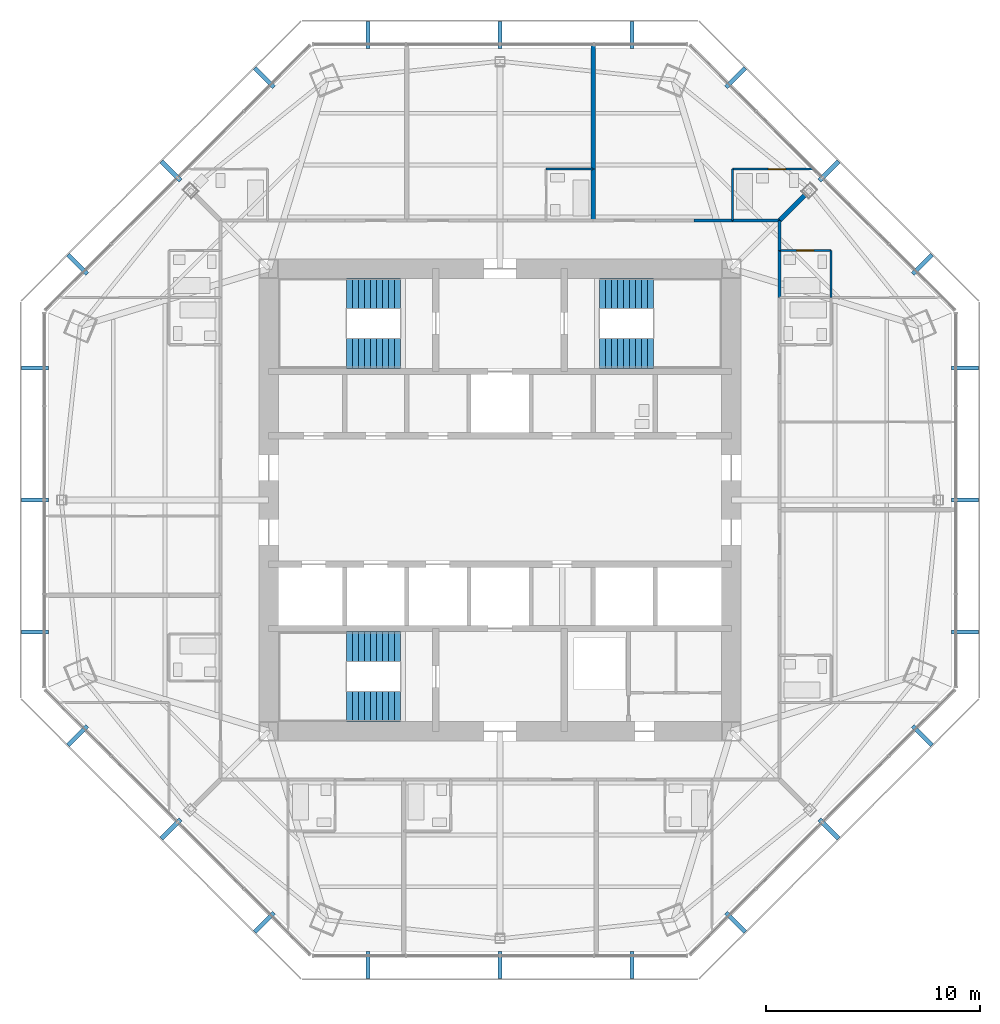
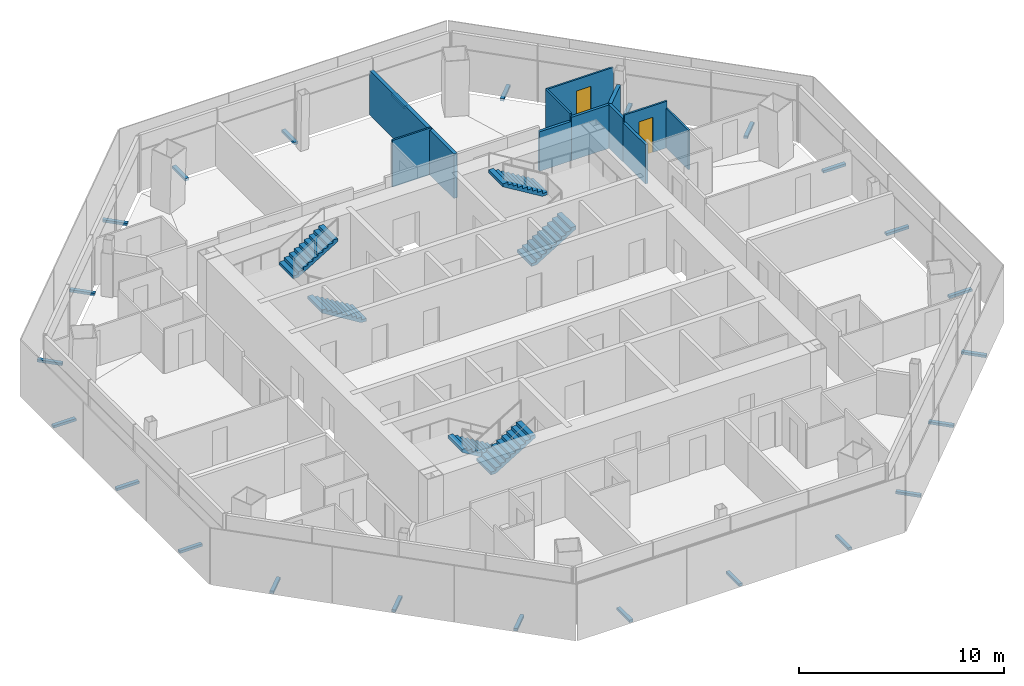
# One storey, part 12 of 14: 24 discrete accessories, 12 walls, 6 stair flights, 2 doors, 2 openings, 3 elements without a shape of their own.
"""IFC4 building model written with IfcOpenShell, lengths in metres."""

import ifcopenshell
import ifcopenshell.guid

model = None  # the IFC model being written
_history = None  # IfcOwnerHistory: only IFC2X3 demands one
_inside = {}  # id of a spatial element -> (the spatial element, [elements in it])
_under = {}  # id of a project, library or spatial element -> (it, [spatial elements below it])
_declared = {}  # id of a project -> (the project, [libraries it declares])
_typed = {}  # id of a type object -> (the type object, [elements of that type])
_made_of = {}  # id of a material, layer set ... -> (it, [elements and type objects made of it])


def new_model(schema):
    """Start an empty IFC model of exactly this schema.

    Asked for "IFC4X3", IfcOpenShell would pick the latest addendum, in which some entities
    have other attributes; the version numbers below select the first issue.
    IFC2X3 requires an IfcOwnerHistory on every rooted entity: one is made here for all.
    """
    global model, _history
    if schema == "IFC4X3":
        model = ifcopenshell.file(schema_version=(4, 3, 0, 0))
    else:
        model = ifcopenshell.file(schema=schema)
    _inside.clear()
    _under.clear()
    _declared.clear()
    _typed.clear()
    _made_of.clear()
    _history = None
    if model.schema == "IFC2X3":
        org = make("IfcOrganization", Name="unknown")
        user = make(
            "IfcPersonAndOrganization",
            ThePerson=make("IfcPerson", FamilyName="unknown"),
            TheOrganization=org,
        )
        app = make(
            "IfcApplication",
            ApplicationDeveloper=org,
            Version="unknown",
            ApplicationFullName="unknown",
            ApplicationIdentifier="unknown",
        )
        _history = make(
            "IfcOwnerHistory",
            OwningUser=user,
            OwningApplication=app,
            ChangeAction="ADDED",
            CreationDate=0,
        )
    return model


def make(cls, **values):
    """One entity of the class cls with the attributes given. An attribute that is None is left unset."""
    return model.create_entity(
        cls, **{name: value for name, value in values.items() if value is not None}
    )


def rooted(cls, **values):
    """An entity with a GlobalId (a new one), such as an element, a storey or a relation."""
    return make(cls, GlobalId=ifcopenshell.guid.new(), OwnerHistory=_history, **values)


def si_unit(unit_type, name, prefix=None):
    """IfcSIUnit, for example si_unit("LENGTHUNIT", "METRE", prefix="MILLI")."""
    return make("IfcSIUnit", UnitType=unit_type, Prefix=prefix, Name=name)


def assignment(units):
    """IfcUnitAssignment: the units of a project."""
    return None if units is None else make("IfcUnitAssignment", Units=units)


def point(xyz):
    """IfcCartesianPoint."""
    return None if xyz is None else make("IfcCartesianPoint", Coordinates=xyz)


def direction(xyz):
    """IfcDirection."""
    return None if xyz is None else make("IfcDirection", DirectionRatios=xyz)


def frame(location, z_axis=None, x_axis=None):
    """IfcAxis2Placement3D, a coordinate frame: its origin and axes. An axis left out is left unset."""
    return make(
        "IfcAxis2Placement3D",
        Location=point(location),
        Axis=direction(z_axis),
        RefDirection=direction(x_axis),
    )


def frame_2d(location, x_axis=None):
    """IfcAxis2Placement2D, a coordinate frame in the plane: its origin and x axis."""
    return make(
        "IfcAxis2Placement2D", Location=point(location), RefDirection=direction(x_axis)
    )


def origin():
    """The frame at (0, 0, 0) with its axes left unset."""
    return frame((0.0, 0.0, 0.0))


def origin_2d():
    """The frame at (0, 0) in the plane with its x axis left unset."""
    return frame_2d((0.0, 0.0))


def place(relative_to, where):
    """IfcLocalPlacement: puts the frame where relative to a parent placement (None: the world)."""
    return make(
        "IfcLocalPlacement", PlacementRelTo=relative_to, RelativePlacement=where
    )


def context(
    kind, dimensions, precision=None, world=None, true_north=None, identifier=None
):
    """IfcGeometricRepresentationContext, for example the 3D "Model" context."""
    return make(
        "IfcGeometricRepresentationContext",
        ContextIdentifier=identifier,
        ContextType=kind,
        CoordinateSpaceDimension=dimensions,
        Precision=precision,
        WorldCoordinateSystem=world,
        TrueNorth=true_north,
    )


def subcontext(parent, identifier, kind, view, scale=None):
    """IfcGeometricRepresentationSubContext, for example "Body" below "Model"."""
    return make(
        "IfcGeometricRepresentationSubContext",
        ContextIdentifier=identifier,
        ContextType=kind,
        ParentContext=parent,
        TargetScale=scale,
        TargetView=view,
    )


def project(units=None, contexts=None):
    """IfcProject with its units and contexts."""
    return rooted(
        "IfcProject",
        Name="project",
        RepresentationContexts=contexts,
        UnitsInContext=assignment(units),
    )


def spatial(cls, under=None, at=None, **own):
    """A site, building, storey or space (cls), placed at a placement, below another one or the project."""
    s = rooted(cls, ObjectPlacement=at, **own)
    if under is not None:
        _under.setdefault(under.id(), (under, []))[1].append(s)
    return s


def polyline(points):
    """IfcPolyline through the points."""
    return make("IfcPolyline", Points=[point(p) for p in points])


def profile(cls, at=None, kind="AREA", **sizes):
    """A parametric profile (cls). Its sizes go by their IFC names, for example OverallWidth=200.0."""
    return make(cls, ProfileType=kind, Position=at, **sizes)


def rectangle(**sizes):
    """IfcRectangleProfileDef."""
    return profile("IfcRectangleProfileDef", **sizes)


def outline(outer, holes=None, kind="AREA"):
    """IfcArbitraryClosedProfileDef: a profile drawn as a closed curve; with holes, ...WithVoids."""
    if holes is None:
        return make("IfcArbitraryClosedProfileDef", ProfileType=kind, OuterCurve=outer)
    return make(
        "IfcArbitraryProfileDefWithVoids",
        ProfileType=kind,
        OuterCurve=outer,
        InnerCurves=holes,
    )


def extrude(swept, where, along, depth):
    """IfcExtrudedAreaSolid: the profile swept, set in the frame where, extruded along a direction by depth."""
    return make(
        "IfcExtrudedAreaSolid",
        SweptArea=swept,
        Position=where,
        ExtrudedDirection=direction(along),
        Depth=depth,
    )


def shape(context_of_items, identifier, shape_type, items):
    """IfcShapeRepresentation: the items that make up one representation, for example the "Body"."""
    return make(
        "IfcShapeRepresentation",
        ContextOfItems=context_of_items,
        RepresentationIdentifier=identifier,
        RepresentationType=shape_type,
        Items=items,
    )


def source(mapping_origin, context_of_items, identifier, shape_type, items):
    """IfcRepresentationMap: a shape defined once, which mapped items show again and again."""
    return make(
        "IfcRepresentationMap",
        MappingOrigin=mapping_origin,
        MappedRepresentation=shape(context_of_items, identifier, shape_type, items),
    )


def transform(
    local_origin,
    x_axis=None,
    y_axis=None,
    z_axis=None,
    scale=None,
    scale2=None,
    scale3=None,
    uniform=True,
):
    """IfcCartesianTransformationOperator3D, or its non-uniform kind. x_axis, y_axis, z_axis: its Axis1, 2, 3."""
    if uniform:
        return make(
            "IfcCartesianTransformationOperator3D",
            Axis1=direction(x_axis),
            Axis2=direction(y_axis),
            LocalOrigin=point(local_origin),
            Scale=scale,
            Axis3=direction(z_axis),
        )
    return make(
        "IfcCartesianTransformationOperator3DnonUniform",
        Axis1=direction(x_axis),
        Axis2=direction(y_axis),
        LocalOrigin=point(local_origin),
        Scale=scale,
        Axis3=direction(z_axis),
        Scale2=scale2,
        Scale3=scale3,
    )


def mapped(mapping_source, mapping_target):
    """IfcMappedItem: shows the shape of a source again, moved by a transform."""
    return make(
        "IfcMappedItem", MappingSource=mapping_source, MappingTarget=mapping_target
    )


def material(Name=None, Category=None):
    """IfcMaterial."""
    return make("IfcMaterial", Name=Name, Category=Category)


def layer(
    of_material, thickness, ventilated=None, Name=None, Category=None, Priority=None
):
    """IfcMaterialLayer: one layer of a wall or slab, of a material (None: an air gap)."""
    return make(
        "IfcMaterialLayer",
        Material=of_material,
        LayerThickness=thickness,
        IsVentilated=ventilated,
        Name=Name,
        Category=Category,
        Priority=Priority,
    )


def layer_set(layers, Name=None):
    """IfcMaterialLayerSet."""
    return make("IfcMaterialLayerSet", MaterialLayers=layers, LayerSetName=Name)


def made_of(thing, what):
    """Note that an element or type object is made of a material, layer set ...; save() writes the relation."""
    if what is not None:
        _made_of.setdefault(what.id(), (what, []))[1].append(thing)
    return thing


def type_object(cls, material=None, **own):
    """A type object (cls), such as IfcWallType, which elements share."""
    return made_of(rooted(cls, **own), material)


def type_shapes(of_type, sources):
    """Give a type object the sources (RepresentationMaps) that its elements show as mapped items."""
    of_type.RepresentationMaps = sources


def element(
    cls,
    number,
    at=None,
    inside=None,
    cuts=None,
    type_object=None,
    material=None,
    context=None,
    identifier="Body",
    shape_type=None,
    held_by="IfcProductDefinitionShape",
    body=None,
    shapes=None,
    **own,
):
    """One element of the class cls, such as IfcWall. Its Tag is "e" and its number.

    at: its placement. inside: the storey or other place that contains it. cuts: it is an
    opening in that element (IfcRelVoidsElement). A single representation is given by context,
    identifier, shape_type and body (its items); several are given by shapes. held_by: the class
    of the entity that holds the representations. save() writes the other relations.
    """
    e = rooted(cls, Tag="e%d" % number, ObjectPlacement=at, **own)
    if body is not None:
        shapes = [shape(context, identifier, shape_type, body)]
    if shapes is not None:
        e.Representation = make(held_by, Representations=shapes)
    if inside is not None:
        _inside.setdefault(inside.id(), (inside, []))[1].append(e)
    if cuts is not None:
        rooted(
            "IfcRelVoidsElement", RelatingBuildingElement=cuts, RelatedOpeningElement=e
        )
    if type_object is not None:
        _typed.setdefault(type_object.id(), (type_object, []))[1].append(e)
    return made_of(e, material)


def fill(opening, filler):
    """IfcRelFillsElement: the door or window that sits in an opening."""
    return rooted(
        "IfcRelFillsElement",
        RelatingOpeningElement=opening,
        RelatedBuildingElement=filler,
    )


def aggregate(whole, parts):
    """IfcRelAggregates: a whole, such as a stair, and the parts it consists of."""
    return rooted("IfcRelAggregates", RelatingObject=whole, RelatedObjects=parts)


def save(model, path):
    """Write the relations noted so far, then the file.

    IfcRelAggregates (storeys below a building ...), IfcRelContainedInSpatialStructure (elements
    in a storey), IfcRelDefinesByType, IfcRelAssociatesMaterial and IfcRelDeclares: one each for
    every whole, place, type object, material and project.
    """
    for whole, parts in _under.values():
        aggregate(whole, parts)
    for where, things in _inside.values():
        rooted(
            "IfcRelContainedInSpatialStructure",
            RelatedElements=things,
            RelatingStructure=where,
        )
    for kind, things in _typed.values():
        rooted("IfcRelDefinesByType", RelatedObjects=things, RelatingType=kind)
    for what, things in _made_of.values():
        rooted("IfcRelAssociatesMaterial", RelatedObjects=things, RelatingMaterial=what)
    for by, libraries in _declared.values():
        rooted("IfcRelDeclares", RelatingContext=by, RelatedDefinitions=libraries)
    model.write(path)


model = new_model("IFC4")

# Units and contexts
model_context = context("Model", 3, precision=1e-05, world=origin(), true_north=direction((0.0, 1.0)))
body_context = subcontext(model_context, "Body", "Model", "MODEL_VIEW")
ifc_project = project(units=[si_unit("LENGTHUNIT", "METRE"), si_unit("AREAUNIT", "SQUARE_METRE"), si_unit("VOLUMEUNIT", "CUBIC_METRE"), si_unit("PLANEANGLEUNIT", "RADIAN"), si_unit("MASSUNIT", "GRAM", prefix="KILO")], contexts=[model_context])

# Site, building, storey
site_placement = place(None, origin())
site = spatial("IfcSite", under=ifc_project, at=site_placement, CompositionType="ELEMENT")
building_placement = place(site_placement, origin())
building = spatial("IfcBuilding", under=site, at=building_placement, Name="Mashrafa Tower", CompositionType="ELEMENT")
storey_placement = place(building_placement, frame((0.0, 0.0, 238.0)))
storey = spatial("IfcBuildingStorey", under=building, at=storey_placement, Name="L56", CompositionType="ELEMENT", Elevation=238.0)

# Walls
ifc_material_1 = material(Name="Gypsum board on steel studs", Category="steel")
ifc_layer_1 = layer(ifc_material_1, 0.199951171875)
ifc_layer_set_1 = layer_set([ifc_layer_1], Name="Acoustic partition 200 1 hr")
wall_type_1 = type_object("IfcWallType", Name="Acoustic partition 200 1 hr", PredefinedType="PARTITIONING", material=ifc_layer_set_1)
wall_1_placement = place(storey_placement, frame((14.242431640625, 14.242431640625, 0.0), z_axis=(0.0, 0.0, 1.0), x_axis=(-0.707106781187, -0.707106781187, 0.0)))
element("IfcWall", 1, at=wall_1_placement, inside=storey, type_object=wall_type_1, Name="Acoustic wall L56-056", PredefinedType="PARTITIONING", context=body_context, shape_type="SweptSolid", body=[
    extrude(rectangle(XDim=1.686279296875, YDim=0.199951171875, at=frame_2d((0.84326171875, 0.0))), origin(), (0.0, 0.0, 1.0), 2.587890625),
])
wall_2_placement = place(storey_placement, frame((4.35009765625, 15.450927734375, 0.0), z_axis=(0.0, 0.0, 1.0), x_axis=(0.0, -1.0, 0.0)))
element("IfcWall", 2, at=wall_2_placement, inside=storey, type_object=wall_type_1, Name="Acoustic wall L56-063", PredefinedType="PARTITIONING", context=body_context, shape_type="SweptSolid", body=[
    extrude(rectangle(XDim=2.40087890625, YDim=0.199951171875, at=frame_2d((1.200439453125, 0.0))), origin(), (0.0, 0.0, 1.0), 2.66162109375),
])
wall_3_placement = place(storey_placement, frame((4.35009765625, 21.263916015625, 0.0), z_axis=(0.0, 0.0, 1.0), x_axis=(0.0, -1.0, 0.0)))
element("IfcWall", 3, at=wall_3_placement, inside=storey, type_object=wall_type_1, Name="Acoustic wall L56-064", PredefinedType="PARTITIONING", context=body_context, shape_type="SweptSolid", body=[
    extrude(rectangle(XDim=5.81494140625, YDim=0.199951171875, at=frame_2d((2.907470703125, 0.0))), origin(), (0.0, 0.0, 1.0), 2.66162109375),
])
ifc_material_2 = material(Name="Gypsum board on steel studs", Category="steel")
ifc_layer_2 = layer(ifc_material_2, 0.14990234375)
ifc_layer_set_2 = layer_set([ifc_layer_2], Name="Corridor partition 150 1 hr")
wall_type_2 = type_object("IfcWallType", Name="Corridor partition 150 1 hr", PredefinedType="PARTITIONING", material=ifc_layer_set_2)
wall_4_placement = place(storey_placement, frame((13.050048828125, 9.448974609375, 0.0), z_axis=(0.0, 0.0, 1.0), x_axis=(0.0, 1.0, 0.0)))
element("IfcWall", 4, at=wall_4_placement, inside=storey, type_object=wall_type_2, Name="Corridor wall L56-006", PredefinedType="PARTITIONING", context=body_context, shape_type="SweptSolid", body=[
    extrude(rectangle(XDim=2.201904296875, YDim=0.14990234375, at=frame_2d((1.10107421875, 0.0))), origin(), (0.0, 0.0, 1.0), 2.349365234375),
])
wall_5_placement = place(storey_placement, frame((13.050048828125, 11.64892578125, 0.0), z_axis=(0.0, 0.0, 1.0), x_axis=(0.0, 1.0, 0.0)))
element("IfcWall", 5, at=wall_5_placement, inside=storey, type_object=wall_type_2, Name="Corridor wall L56-007", PredefinedType="PARTITIONING", context=body_context, shape_type="SweptSolid", body=[
    extrude(rectangle(XDim=1.401123046875, YDim=0.14990234375, at=frame_2d((0.70068359375, 0.0))), origin(), (0.0, 0.0, 1.0), 2.587890625),
])
wall_6_placement = place(storey_placement, frame((13.050048828125, 13.050048828125, 0.0), z_axis=(0.0, 0.0, 1.0), x_axis=(-1.0, 0.0, 0.0)))
element("IfcWall", 6, at=wall_6_placement, inside=storey, type_object=wall_type_2, Name="Corridor wall L56-012", PredefinedType="PARTITIONING", context=body_context, shape_type="SweptSolid", body=[
    extrude(rectangle(XDim=2.200927734375, YDim=0.14990234375, at=frame_2d((1.1005859375, 0.0))), origin(), (0.0, 0.0, 1.0), 2.587890625),
])
wall_7_placement = place(storey_placement, frame((10.85107421875, 13.050048828125, 0.0), z_axis=(0.0, 0.0, 1.0), x_axis=(-1.0, 0.0, 0.0)))
element("IfcWall", 7, at=wall_7_placement, inside=storey, type_object=wall_type_2, Name="Corridor wall L56-015", PredefinedType="PARTITIONING", context=body_context, shape_type="SweptSolid", body=[
    extrude(rectangle(XDim=1.802001953125, YDim=0.14990234375, at=frame_2d((0.90087890625, 0.0))), origin(), (0.0, 0.0, 1.0), 2.349365234375),
])
ifc_material_3 = material(Name="Gypsum board on steel studs", Category="steel")
ifc_layer_3 = layer(ifc_material_3, 0.10009765625)
ifc_layer_set_3 = layer_set([ifc_layer_3], Name="Partition 100")
wall_type_3 = type_object("IfcWallType", Name="Partition 100", PredefinedType="PARTITIONING", material=ifc_layer_set_3)
wall_8_placement = place(storey_placement, frame((15.449951171875, 9.449951171875, 0.0), z_axis=(0.0, 0.0, 1.0), x_axis=(0.0, 1.0, 0.0)))
element("IfcWall", 8, at=wall_8_placement, inside=storey, type_object=wall_type_3, Name="Partition wall L56-052", PredefinedType="PARTITIONING", context=body_context, shape_type="SweptSolid", body=[
    extrude(rectangle(XDim=2.199951171875, YDim=0.10009765625, at=frame_2d((1.10009765625, 0.0))), origin(), (0.0, 0.0, 1.0), 2.349365234375),
])

# Wall, opening, door
wall_9_placement = place(storey_placement, frame((15.449951171875, 11.64990234375, 0.0), z_axis=(0.0, 0.0, 1.0), x_axis=(-1.0, 0.0, 0.0)))
wall_9 = element("IfcWall", 9, at=wall_9_placement, inside=storey, type_object=wall_type_3, Name="Partition wall L56-053", PredefinedType="PARTITIONING", context=body_context, shape_type="SweptSolid", body=[
    extrude(rectangle(XDim=2.39990234375, YDim=0.10009765625, at=frame_2d((1.199951171875, 0.0))), origin(), (0.0, 0.0, 1.0), 2.7861328125),
])
opening_1_placement = place(wall_9_placement, frame((0.800048828125, 0.0, 0.0)))
opening_1 = element("IfcOpeningElement", 10, at=opening_1_placement, cuts=wall_9, Name="Opening 56.004", PredefinedType="OPENING", context=body_context, shape_type="SweptSolid", body=[
    extrude(rectangle(XDim=0.800048828125, YDim=2.10009765625, at=frame_2d((0.39990234375, 1.050048828125))), frame((0.0, 0.06005859375, 0.0), z_axis=(0.0, -1.0, 0.0), x_axis=(1.0, 0.0, 0.0)), (0.0, 0.0, 1.0), 0.1201171875),
])
ifc_material_4 = material(Name="Timber door", Category="wood")
door_type = type_object("IfcDoorType", Name="Bathroom door 800 x 2100", OperationType="USERDEFINED", PredefinedType="DOOR", material=ifc_material_4)
door_1_placement = place(opening_1_placement, origin())
door_1 = element("IfcDoor", 11, at=door_1_placement, inside=storey, type_object=door_type, Name="Apartment 5602 En-suite Bathroom door", OperationType="SINGLE_SWING_RIGHT", OverallHeight=2.10009765625, OverallWidth=0.800048828125, PredefinedType="DOOR", context=body_context, shape_type="SweptSolid", body=[
    extrude(rectangle(XDim=0.800048828125, YDim=2.10009765625, at=frame_2d((0.39990234375, 1.050048828125))), frame((0.0, 0.02490234375, 0.0), z_axis=(0.0, -1.0, 0.0), x_axis=(1.0, 0.0, 0.0)), (0.0, 0.0, 1.0), 0.050048828125),
])
fill(opening_1, door_1)

wall_10_placement = place(storey_placement, frame((14.62548828125, 15.449951171875, 0.0), z_axis=(0.0, 0.0, 1.0), x_axis=(-1.0, 0.0, 0.0)))
wall_10 = element("IfcWall", 12, at=wall_10_placement, inside=storey, type_object=wall_type_3, Name="Partition wall L56-061", PredefinedType="PARTITIONING", context=body_context, shape_type="SweptSolid", body=[
    extrude(rectangle(XDim=3.775390625, YDim=0.10009765625, at=frame_2d((1.8876953125, 0.0))), origin(), (0.0, 0.0, 1.0), 2.78369140625),
])
opening_2_placement = place(wall_10_placement, frame((1.291015625, 0.0, 0.0)))
opening_2 = element("IfcOpeningElement", 13, at=opening_2_placement, cuts=wall_10, Name="Opening 56.009", PredefinedType="OPENING", context=body_context, shape_type="SweptSolid", body=[
    extrude(rectangle(XDim=0.800048828125, YDim=2.10009765625, at=frame_2d((0.39990234375, 1.050048828125))), frame((0.0, 0.06005859375, 0.0), z_axis=(0.0, -1.0, 0.0), x_axis=(1.0, 0.0, 0.0)), (0.0, 0.0, 1.0), 0.1201171875),
])
door_2_placement = place(opening_2_placement, origin())
door_2 = element("IfcDoor", 14, at=door_2_placement, inside=storey, type_object=door_type, Name="Apartment 5603 Bathroom door", OperationType="SINGLE_SWING_LEFT", OverallHeight=2.10009765625, OverallWidth=0.800048828125, PredefinedType="DOOR", context=body_context, shape_type="SweptSolid", body=[
    extrude(rectangle(XDim=0.800048828125, YDim=2.10009765625, at=frame_2d((0.39990234375, 1.050048828125))), frame((0.0, 0.02490234375, 0.0), z_axis=(0.0, -1.0, 0.0), x_axis=(1.0, 0.0, 0.0)), (0.0, 0.0, 1.0), 0.050048828125),
])
fill(opening_2, door_2)

# Walls
wall_11_placement = place(storey_placement, frame((10.85009765625, 15.449951171875, 0.0), z_axis=(0.0, 0.0, 1.0), x_axis=(0.0, -1.0, 0.0)))
element("IfcWall", 15, at=wall_11_placement, inside=storey, type_object=wall_type_3, Name="Partition wall L56-062", PredefinedType="PARTITIONING", context=body_context, shape_type="SweptSolid", body=[
    extrude(rectangle(XDim=2.39990234375, YDim=0.10009765625, at=frame_2d((1.199951171875, 0.0))), origin(), (0.0, 0.0, 1.0), 2.7861328125),
])
wall_12_placement = place(storey_placement, frame((4.35009765625, 15.449951171875, 0.0), z_axis=(0.0, 0.0, 1.0), x_axis=(-1.0, 0.0, 0.0)))
element("IfcWall", 16, at=wall_12_placement, inside=storey, type_object=wall_type_3, Name="Partition wall L56-065", PredefinedType="PARTITIONING", context=body_context, shape_type="SweptSolid", body=[
    extrude(rectangle(XDim=2.2001953125, YDim=0.10009765625, at=frame_2d((1.10009765625, 0.0))), origin(), (0.0, 0.0, 1.0), 2.78369140625),
])

# Stair, stair flights
ifc_material_5 = material(Name="Exit stair 1400")
stair_type = type_object("IfcStairType", Name="Exit stair 1400", PredefinedType="HALF_TURN_STAIR", material=ifc_material_5)
stair_1_placement = place(storey_placement, origin())
stair_1 = element("IfcStair", 17, at=stair_1_placement, inside=storey, type_object=stair_type, Name="Stair S1 L56", PredefinedType="HALF_TURN_STAIR")
ifc_material_6 = material(Name="Concrete C32/40", Category="concrete")
stair_flight_type = type_object("IfcStairFlightType", Name="Stair flight 1400", PredefinedType="STRAIGHT", material=ifc_material_6)
stair_flight_1_placement = place(storey_placement, frame((-4.64990234375, 6.85009765625, 0.0), z_axis=(0.0, 0.0, 1.0), x_axis=(-1.0, 0.0, 0.0)))
stair_flight_1 = element("IfcStairFlight", 18, at=stair_flight_1_placement, type_object=stair_flight_type, Name="S1 flight 1", NumberOfRisers=10, NumberOfTreads=9, PredefinedType="STRAIGHT", RiserHeight=0.17, TreadLength=0.28, context=body_context, shape_type="SweptSolid", body=[
    extrude(outline(polyline([(0.0, 0.0), (0.0, 0.169921875), (0.280029296875, 0.169921875), (0.280029296875, 0.340087890625), (0.56005859375, 0.340087890625), (0.56005859375, 0.510009765625), (0.840087890625, 0.510009765625), (0.840087890625, 0.679931640625), (1.1201171875, 0.679931640625), (1.1201171875, 0.85009765625), (1.39990234375, 0.85009765625), (1.39990234375, 1.02001953125), (1.679931640625, 1.02001953125), (1.679931640625, 1.18994140625), (1.9599609375, 1.18994140625), (1.9599609375, 1.360107421875), (2.239990234375, 1.360107421875), (2.239990234375, 1.530029296875), (2.52001953125, 1.530029296875), (2.52001953125, 1.699951171875), (2.52001953125, 1.354736328125), (0.288818359375, 0.0), (0.0, 0.0)])), frame((0.0, 0.699951171875, 0.0), z_axis=(0.0, -1.0, 0.0), x_axis=(1.0, 0.0, 0.0)), (0.0, 0.0, 1.0), 1.39990234375),
])
stair_flight_2_placement = place(storey_placement, frame((-7.169921875, 9.64990234375, 1.699951171875), z_axis=(0.0, 0.0, 1.0), x_axis=(1.0, 0.0, 0.0)))
stair_flight_2 = element("IfcStairFlight", 19, at=stair_flight_2_placement, type_object=stair_flight_type, Name="S1 flight 2", NumberOfRisers=10, NumberOfTreads=9, PredefinedType="STRAIGHT", RiserHeight=0.17, TreadLength=0.28, context=body_context, shape_type="SweptSolid", body=[
    extrude(outline(polyline([(0.0, 0.0), (0.0, 0.169921875), (0.280029296875, 0.169921875), (0.280029296875, 0.340087890625), (0.56005859375, 0.340087890625), (0.56005859375, 0.510009765625), (0.840087890625, 0.510009765625), (0.840087890625, 0.679931640625), (1.1201171875, 0.679931640625), (1.1201171875, 0.85009765625), (1.39990234375, 0.85009765625), (1.39990234375, 1.02001953125), (1.679931640625, 1.02001953125), (1.679931640625, 1.18994140625), (1.9599609375, 1.18994140625), (1.9599609375, 1.360107421875), (2.239990234375, 1.360107421875), (2.239990234375, 1.530029296875), (2.52001953125, 1.530029296875), (2.52001953125, 1.699951171875), (2.52001953125, 1.354736328125), (0.288818359375, 0.0), (0.0, 0.0)])), frame((0.0, 0.699951171875, 0.0), z_axis=(0.0, -1.0, 0.0), x_axis=(1.0, 0.0, 0.0)), (0.0, 0.0, 1.0), 1.39990234375),
])
aggregate(stair_1, [stair_flight_1, stair_flight_2])

stair_2_placement = place(storey_placement, origin())
stair_2 = element("IfcStair", 20, at=stair_2_placement, inside=storey, type_object=stair_type, Name="Stair S2 L56", PredefinedType="HALF_TURN_STAIR")
stair_flight_3_placement = place(storey_placement, frame((4.64990234375, 6.85009765625, 0.0), z_axis=(0.0, 0.0, 1.0), x_axis=(1.0, 0.0, 0.0)))
stair_flight_3 = element("IfcStairFlight", 21, at=stair_flight_3_placement, type_object=stair_flight_type, Name="S2 flight 1", NumberOfRisers=10, NumberOfTreads=9, PredefinedType="STRAIGHT", RiserHeight=0.17, TreadLength=0.28, context=body_context, shape_type="SweptSolid", body=[
    extrude(outline(polyline([(0.0, 0.0), (0.0, 0.169921875), (0.280029296875, 0.169921875), (0.280029296875, 0.340087890625), (0.56005859375, 0.340087890625), (0.56005859375, 0.510009765625), (0.840087890625, 0.510009765625), (0.840087890625, 0.679931640625), (1.1201171875, 0.679931640625), (1.1201171875, 0.85009765625), (1.39990234375, 0.85009765625), (1.39990234375, 1.02001953125), (1.679931640625, 1.02001953125), (1.679931640625, 1.18994140625), (1.9599609375, 1.18994140625), (1.9599609375, 1.360107421875), (2.239990234375, 1.360107421875), (2.239990234375, 1.530029296875), (2.52001953125, 1.530029296875), (2.52001953125, 1.699951171875), (2.52001953125, 1.354736328125), (0.288818359375, 0.0), (0.0, 0.0)])), frame((0.0, 0.699951171875, 0.0), z_axis=(0.0, -1.0, 0.0), x_axis=(1.0, 0.0, 0.0)), (0.0, 0.0, 1.0), 1.39990234375),
])
stair_flight_4_placement = place(storey_placement, frame((7.169921875, 9.64990234375, 1.699951171875), z_axis=(0.0, 0.0, 1.0), x_axis=(-1.0, 0.0, 0.0)))
stair_flight_4 = element("IfcStairFlight", 22, at=stair_flight_4_placement, type_object=stair_flight_type, Name="S2 flight 2", NumberOfRisers=10, NumberOfTreads=9, PredefinedType="STRAIGHT", RiserHeight=0.17, TreadLength=0.28, context=body_context, shape_type="SweptSolid", body=[
    extrude(outline(polyline([(0.0, 0.0), (0.0, 0.169921875), (0.280029296875, 0.169921875), (0.280029296875, 0.340087890625), (0.56005859375, 0.340087890625), (0.56005859375, 0.510009765625), (0.840087890625, 0.510009765625), (0.840087890625, 0.679931640625), (1.1201171875, 0.679931640625), (1.1201171875, 0.85009765625), (1.39990234375, 0.85009765625), (1.39990234375, 1.02001953125), (1.679931640625, 1.02001953125), (1.679931640625, 1.18994140625), (1.9599609375, 1.18994140625), (1.9599609375, 1.360107421875), (2.239990234375, 1.360107421875), (2.239990234375, 1.530029296875), (2.52001953125, 1.530029296875), (2.52001953125, 1.699951171875), (2.52001953125, 1.354736328125), (0.288818359375, 0.0), (0.0, 0.0)])), frame((0.0, 0.699951171875, 0.0), z_axis=(0.0, -1.0, 0.0), x_axis=(1.0, 0.0, 0.0)), (0.0, 0.0, 1.0), 1.39990234375),
])
aggregate(stair_2, [stair_flight_3, stair_flight_4])

stair_3_placement = place(storey_placement, origin())
stair_3 = element("IfcStair", 23, at=stair_3_placement, inside=storey, type_object=stair_type, Name="Stair S3 L56", PredefinedType="HALF_TURN_STAIR")
stair_flight_5_placement = place(storey_placement, frame((-4.64990234375, -6.85009765625, 0.0), z_axis=(0.0, 0.0, 1.0), x_axis=(-1.0, 0.0, 0.0)))
stair_flight_5 = element("IfcStairFlight", 24, at=stair_flight_5_placement, type_object=stair_flight_type, Name="S3 flight 1", NumberOfRisers=10, NumberOfTreads=9, PredefinedType="STRAIGHT", RiserHeight=0.17, TreadLength=0.28, context=body_context, shape_type="SweptSolid", body=[
    extrude(outline(polyline([(0.0, 0.0), (0.0, 0.169921875), (0.280029296875, 0.169921875), (0.280029296875, 0.340087890625), (0.56005859375, 0.340087890625), (0.56005859375, 0.510009765625), (0.840087890625, 0.510009765625), (0.840087890625, 0.679931640625), (1.1201171875, 0.679931640625), (1.1201171875, 0.85009765625), (1.39990234375, 0.85009765625), (1.39990234375, 1.02001953125), (1.679931640625, 1.02001953125), (1.679931640625, 1.18994140625), (1.9599609375, 1.18994140625), (1.9599609375, 1.360107421875), (2.239990234375, 1.360107421875), (2.239990234375, 1.530029296875), (2.52001953125, 1.530029296875), (2.52001953125, 1.699951171875), (2.52001953125, 1.354736328125), (0.288818359375, 0.0), (0.0, 0.0)])), frame((0.0, 0.699951171875, 0.0), z_axis=(0.0, -1.0, 0.0), x_axis=(1.0, 0.0, 0.0)), (0.0, 0.0, 1.0), 1.39990234375),
])
stair_flight_6_placement = place(storey_placement, frame((-7.169921875, -9.64990234375, 1.699951171875), z_axis=(0.0, 0.0, 1.0), x_axis=(1.0, 0.0, 0.0)))
stair_flight_6 = element("IfcStairFlight", 25, at=stair_flight_6_placement, type_object=stair_flight_type, Name="S3 flight 2", NumberOfRisers=10, NumberOfTreads=9, PredefinedType="STRAIGHT", RiserHeight=0.17, TreadLength=0.28, context=body_context, shape_type="SweptSolid", body=[
    extrude(outline(polyline([(0.0, 0.0), (0.0, 0.169921875), (0.280029296875, 0.169921875), (0.280029296875, 0.340087890625), (0.56005859375, 0.340087890625), (0.56005859375, 0.510009765625), (0.840087890625, 0.510009765625), (0.840087890625, 0.679931640625), (1.1201171875, 0.679931640625), (1.1201171875, 0.85009765625), (1.39990234375, 0.85009765625), (1.39990234375, 1.02001953125), (1.679931640625, 1.02001953125), (1.679931640625, 1.18994140625), (1.9599609375, 1.18994140625), (1.9599609375, 1.360107421875), (2.239990234375, 1.360107421875), (2.239990234375, 1.530029296875), (2.52001953125, 1.530029296875), (2.52001953125, 1.699951171875), (2.52001953125, 1.354736328125), (0.288818359375, 0.0), (0.0, 0.0)])), frame((0.0, 0.699951171875, 0.0), z_axis=(0.0, -1.0, 0.0), x_axis=(1.0, 0.0, 0.0)), (0.0, 0.0, 1.0), 1.39990234375),
])
aggregate(stair_3, [stair_flight_5, stair_flight_6])

# Discrete accessories
ifc_material_7 = material(Name="Stainless steel screen bracket", Category="steel")
discrete_accessory_type = type_object("IfcDiscreteAccessoryType", Name="Screen support bracket 200 x 150", PredefinedType="BRACKET", material=ifc_material_7)
shared_shape = source(origin(), body_context, "Body", "SweptSolid", [
    extrude(rectangle(XDim=0.199951171875, YDim=1.27001953125, at=origin_2d()), origin(), (0.0, 0.0, 1.0), 0.14990234375),
])
type_shapes(discrete_accessory_type, [shared_shape])
for number, where, z_axis, x_axis, name in (
    (26, (21.717041015625, -6.165771484375, -0.14990234375), (0.0, 0.0, 1.0), (0.0, 1.0, 0.0), "Screen support bracket L56 east 1"),
    (27, (21.717041015625, 0.0, -0.14990234375), (0.0, 0.0, 1.0), (0.0, 1.0, 0.0), "Screen support bracket L56 east 2"),
    (28, (21.717041015625, 6.165771484375, -0.14990234375), (0.0, 0.0, 1.0), (0.0, 1.0, 0.0), "Screen support bracket L56 east 3"),
    (29, (19.716064453125, 10.99658203125, -0.14990234375), (0.0, 0.0, 1.0), (-0.707106781187, 0.707106781187, 0.0), "Screen support bracket L56 north-east 1"),
    (30, (15.356201171875, 15.356201171875, -0.14990234375), (0.0, 0.0, 1.0), (-0.707106781187, 0.707106781187, 0.0), "Screen support bracket L56 north-east 2"),
    (31, (10.99658203125, 19.716064453125, -0.14990234375), (0.0, 0.0, 1.0), (-0.707106781187, 0.707106781187, 0.0), "Screen support bracket L56 north-east 3"),
    (32, (6.165771484375, 21.717041015625, -0.14990234375), (0.0, 0.0, 1.0), (-1.0, 0.0, 0.0), "Screen support bracket L56 north 1"),
    (33, (0.0, 21.717041015625, -0.14990234375), (0.0, 0.0, 1.0), (-1.0, 0.0, 0.0), "Screen support bracket L56 north 2"),
    (34, (-6.165771484375, 21.717041015625, -0.14990234375), (0.0, 0.0, 1.0), (-1.0, 0.0, 0.0), "Screen support bracket L56 north 3"),
    (35, (-10.99658203125, 19.716064453125, -0.14990234375), (0.0, 0.0, 1.0), (-0.707106781187, -0.707106781187, 0.0), "Screen support bracket L56 north-west 1"),
    (36, (-15.356201171875, 15.356201171875, -0.14990234375), (0.0, 0.0, 1.0), (-0.707106781187, -0.707106781187, 0.0), "Screen support bracket L56 north-west 2"),
    (37, (-19.716064453125, 10.99658203125, -0.14990234375), (0.0, 0.0, 1.0), (-0.707106781187, -0.707106781187, 0.0), "Screen support bracket L56 north-west 3"),
    (38, (-21.717041015625, 6.165771484375, -0.14990234375), (0.0, 0.0, 1.0), (0.0, -1.0, 0.0), "Screen support bracket L56 west 1"),
    (39, (-21.717041015625, 0.0, -0.14990234375), (0.0, 0.0, 1.0), (0.0, -1.0, 0.0), "Screen support bracket L56 west 2"),
    (40, (-21.717041015625, -6.165771484375, -0.14990234375), (0.0, 0.0, 1.0), (0.0, -1.0, 0.0), "Screen support bracket L56 west 3"),
    (41, (-19.716064453125, -10.99658203125, -0.14990234375), (0.0, 0.0, 1.0), (0.707106781187, -0.707106781187, 0.0), "Screen support bracket L56 south-west 1"),
    (42, (-15.356201171875, -15.356201171875, -0.14990234375), (0.0, 0.0, 1.0), (0.707106781187, -0.707106781187, 0.0), "Screen support bracket L56 south-west 2"),
    (43, (-10.99658203125, -19.716064453125, -0.14990234375), (0.0, 0.0, 1.0), (0.707106781187, -0.707106781187, 0.0), "Screen support bracket L56 south-west 3"),
    (44, (-6.165771484375, -21.717041015625, -0.14990234375), (0.0, 0.0, 1.0), (1.0, 0.0, 0.0), "Screen support bracket L56 south 1"),
    (45, (0.0, -21.717041015625, -0.14990234375), (0.0, 0.0, 1.0), (1.0, 0.0, 0.0), "Screen support bracket L56 south 2"),
    (46, (6.165771484375, -21.717041015625, -0.14990234375), (0.0, 0.0, 1.0), (1.0, 0.0, 0.0), "Screen support bracket L56 south 3"),
    (47, (10.99658203125, -19.716064453125, -0.14990234375), (0.0, 0.0, 1.0), (0.707106781187, 0.707106781187, 0.0), "Screen support bracket L56 south-east 1"),
    (48, (15.356201171875, -15.356201171875, -0.14990234375), (0.0, 0.0, 1.0), (0.707106781187, 0.707106781187, 0.0), "Screen support bracket L56 south-east 2"),
    (49, (19.716064453125, -10.99658203125, -0.14990234375), (0.0, 0.0, 1.0), (0.707106781187, 0.707106781187, 0.0), "Screen support bracket L56 south-east 3"),
):
    element("IfcDiscreteAccessory", number, at=place(storey_placement, frame(where, z_axis=z_axis, x_axis=x_axis)), inside=storey, type_object=discrete_accessory_type, Name=name, PredefinedType="BRACKET", context=body_context, shape_type="MappedRepresentation", body=[
        mapped(shared_shape, transform((0.0, 0.0, 0.0))),
    ])

save(model, "model.ifc")
